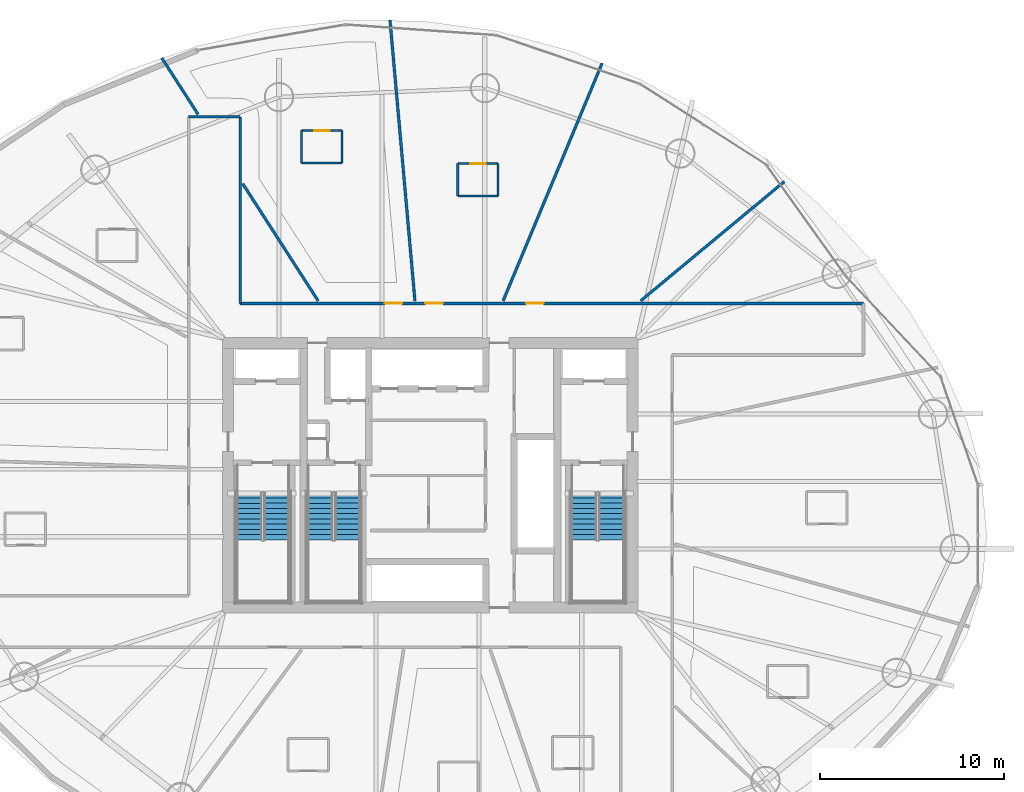
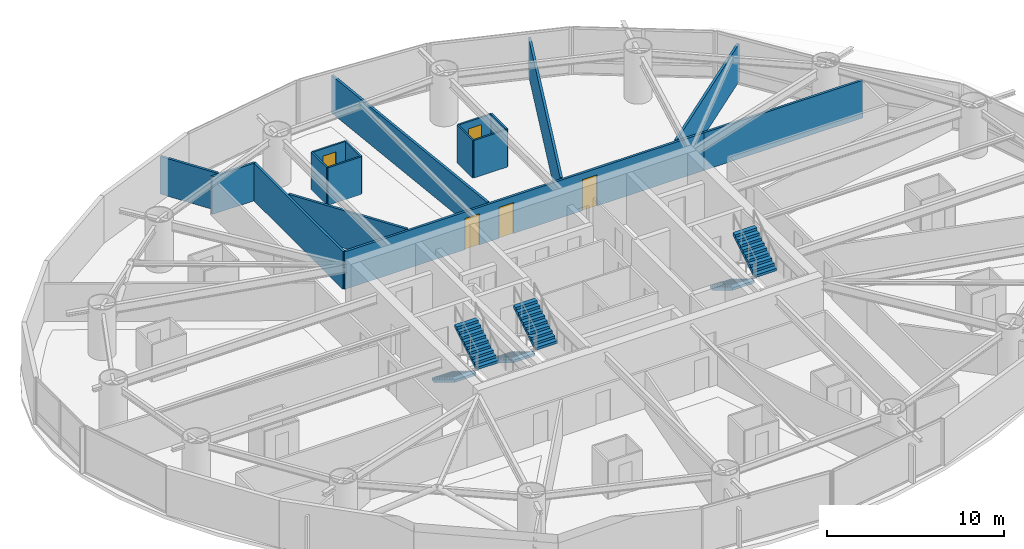
# One storey, part 23 of 27: 17 walls, 6 stair flights, 5 doors, 5 openings, 3 elements without a shape of their own.
"""IFC4 building model written with IfcOpenShell, lengths in metres."""

from ifc_helpers import new_model, si_unit, direction, frame, frame_2d, origin, place, context, subcontext, project, spatial, polyline, rectangle, outline, extrude, material, layer, layer_set, type_object, element, fill, aggregate, save


model = new_model("IFC4")

# Units and contexts
model_context = context("Model", 3, precision=1e-05, world=origin(), true_north=direction((0.0, 1.0)))
body_context = subcontext(model_context, "Body", "Model", "MODEL_VIEW")
ifc_project = project(units=[si_unit("LENGTHUNIT", "METRE"), si_unit("AREAUNIT", "SQUARE_METRE"), si_unit("VOLUMEUNIT", "CUBIC_METRE"), si_unit("PLANEANGLEUNIT", "RADIAN"), si_unit("MASSUNIT", "GRAM", prefix="KILO")], contexts=[model_context])

# Site, building, storey
site_placement = place(None, origin())
site = spatial("IfcSite", under=ifc_project, at=site_placement, CompositionType="ELEMENT")
building_placement = place(site_placement, origin())
building = spatial("IfcBuilding", under=site, at=building_placement, Name="Bramvorn Convention Spire", CompositionType="ELEMENT")
storey_placement = place(building_placement, frame((0.0, 0.0, 79.89990234375)))
storey = spatial("IfcBuildingStorey", under=building, at=storey_placement, Name="L18", CompositionType="ELEMENT", Elevation=79.89990234375)

# Wall
ifc_material_1 = material(Name="Lightweight En-Suite & Wet-Wall Partition", Category="gypsum")
ifc_layer_1 = layer(ifc_material_1, 0.110107421875)
ifc_layer_set_1 = layer_set([ifc_layer_1], Name="Lightweight En-Suite & Wet-Wall Partition - WL-PART-110")
wall_type_1 = type_object("IfcWallType", Name="WL-PART-110", PredefinedType="PARTITIONING", material=ifc_layer_set_1)
wall_1_placement = place(storey_placement, frame((39.48681640625, 41.197265625, 0.0), z_axis=(0.0, 0.0, 1.0), x_axis=(1.0, 0.0, 0.0)))
element("IfcWall", 1, at=wall_1_placement, inside=storey, type_object=wall_type_1, Name="Hotel Suite 1803 en-suite south wall", PredefinedType="PARTITIONING", context=body_context, shape_type="SweptSolid", body=[
    extrude(rectangle(XDim=2.2001953125, YDim=0.110107421875, at=frame_2d((1.10009765625, 0.0))), origin(), (0.0, 0.0, 1.0), 2.60009765625),
])

# Wall, opening, door
wall_2_placement = place(storey_placement, frame((39.48681640625, 42.957275390625, 0.0), z_axis=(0.0, 0.0, 1.0), x_axis=(1.0, 0.0, 0.0)))
wall_2 = element("IfcWall", 2, at=wall_2_placement, inside=storey, type_object=wall_type_1, Name="Hotel Suite 1803 en-suite north wall", PredefinedType="PARTITIONING", context=body_context, shape_type="SweptSolid", body=[
    extrude(rectangle(XDim=2.2001953125, YDim=0.110107421875, at=frame_2d((1.10009765625, 0.0))), origin(), (0.0, 0.0, 1.0), 2.60009765625),
])
opening_1_placement = place(wall_2_placement, frame((0.679931640625, 0.0, 0.0)))
opening_1 = element("IfcOpeningElement", 3, at=opening_1_placement, cuts=wall_2, Name="Opening DI-085", PredefinedType="OPENING", context=body_context, shape_type="SweptSolid", body=[
    extrude(rectangle(XDim=0.85009765625, YDim=2.10009765625, at=frame_2d((0.425048828125, 1.050048828125))), frame((0.0, 0.06494140625, 0.0), z_axis=(0.0, -1.0, 0.0), x_axis=(1.0, 0.0, 0.0)), (0.0, 0.0, 1.0), 0.130126953125),
])
ifc_material_2 = material(Name="En-Suite & Restroom Privacy Door", Category="wood")
door_type_1 = type_object("IfcDoorType", Name="DR-INT-850", OperationType="NOTDEFINED", PredefinedType="DOOR", material=ifc_material_2)
door_1_placement = place(opening_1_placement, origin())
door_1 = element("IfcDoor", 4, at=door_1_placement, inside=storey, type_object=door_type_1, Name="Hotel Suite 1803 En-Suite Bathroom door", OperationType="SINGLE_SWING_LEFT", OverallHeight=2.10009765625, OverallWidth=0.85009765625, PredefinedType="DOOR", context=body_context, shape_type="SweptSolid", body=[
    extrude(rectangle(XDim=0.85009765625, YDim=2.10009765625, at=frame_2d((0.425048828125, 1.050048828125))), frame((0.0, 0.02490234375, 0.0), z_axis=(0.0, -1.0, 0.0), x_axis=(1.0, 0.0, 0.0)), (0.0, 0.0, 1.0), 0.050048828125),
])
fill(opening_1, door_1)

# Walls
for number, where, z_axis, x_axis, name in (
    (5, (39.48681640625, 41.197265625, 0.0), (0.0, 0.0, 1.0), (0.0, 1.0, 0.0), "Hotel Suite 1803 en-suite west wall"),
    (6, (41.68701171875, 41.197265625, 0.0), (0.0, 0.0, 1.0), (0.0, 1.0, 0.0), "Hotel Suite 1803 en-suite east wall"),
):
    element("IfcWall", number, at=place(storey_placement, frame(where, z_axis=z_axis, x_axis=x_axis)), inside=storey, type_object=wall_type_1, Name=name, PredefinedType="PARTITIONING", context=body_context, shape_type="SweptSolid", body=[
        extrude(rectangle(XDim=1.760009765625, YDim=0.110107421875, at=frame_2d((0.8798828125, 0.0))), origin(), (0.0, 0.0, 1.0), 2.60009765625),
    ])
wall_3_placement = place(storey_placement, frame((30.98876953125, 42.99267578125, 0.0), z_axis=(0.0, 0.0, 1.0), x_axis=(1.0, 0.0, 0.0)))
element("IfcWall", 7, at=wall_3_placement, inside=storey, type_object=wall_type_1, Name="Hotel Suite 1804 en-suite south wall", PredefinedType="PARTITIONING", context=body_context, shape_type="SweptSolid", body=[
    extrude(rectangle(XDim=2.199951171875, YDim=0.110107421875, at=frame_2d((1.10009765625, 0.0))), origin(), (0.0, 0.0, 1.0), 2.60009765625),
])

# Wall, opening, door
wall_4_placement = place(storey_placement, frame((30.98876953125, 44.752685546875, 0.0), z_axis=(0.0, 0.0, 1.0), x_axis=(1.0, 0.0, 0.0)))
wall_4 = element("IfcWall", 8, at=wall_4_placement, inside=storey, type_object=wall_type_1, Name="Hotel Suite 1804 en-suite north wall", PredefinedType="PARTITIONING", context=body_context, shape_type="SweptSolid", body=[
    extrude(rectangle(XDim=2.199951171875, YDim=0.110107421875, at=frame_2d((1.10009765625, 0.0))), origin(), (0.0, 0.0, 1.0), 2.60009765625),
])
opening_2_placement = place(wall_4_placement, frame((0.679931640625, 0.0, 0.0)))
opening_2 = element("IfcOpeningElement", 9, at=opening_2_placement, cuts=wall_4, Name="Opening DI-085", PredefinedType="OPENING", context=body_context, shape_type="SweptSolid", body=[
    extrude(rectangle(XDim=0.85009765625, YDim=2.10009765625, at=frame_2d((0.425048828125, 1.050048828125))), frame((0.0, 0.06494140625, 0.0), z_axis=(0.0, -1.0, 0.0), x_axis=(1.0, 0.0, 0.0)), (0.0, 0.0, 1.0), 0.130126953125),
])
door_2_placement = place(opening_2_placement, origin())
door_2 = element("IfcDoor", 10, at=door_2_placement, inside=storey, type_object=door_type_1, Name="Hotel Suite 1804 En-Suite Bathroom door", OperationType="SINGLE_SWING_LEFT", OverallHeight=2.10009765625, OverallWidth=0.85009765625, PredefinedType="DOOR", context=body_context, shape_type="SweptSolid", body=[
    extrude(rectangle(XDim=0.85009765625, YDim=2.10009765625, at=frame_2d((0.425048828125, 1.050048828125))), frame((0.0, 0.02490234375, 0.0), z_axis=(0.0, -1.0, 0.0), x_axis=(1.0, 0.0, 0.0)), (0.0, 0.0, 1.0), 0.050048828125),
])
fill(opening_2, door_2)

# Walls
for number, where, z_axis, x_axis, name in (
    (11, (30.98876953125, 42.99267578125, 0.0), (0.0, 0.0, 1.0), (0.0, 1.0, 0.0), "Hotel Suite 1804 en-suite west wall"),
    (12, (33.188720703125, 42.99267578125, 0.0), (0.0, 0.0, 1.0), (0.0, 1.0, 0.0), "Hotel Suite 1804 en-suite east wall"),
):
    element("IfcWall", number, at=place(storey_placement, frame(where, z_axis=z_axis, x_axis=x_axis)), inside=storey, type_object=wall_type_1, Name=name, PredefinedType="PARTITIONING", context=body_context, shape_type="SweptSolid", body=[
        extrude(rectangle(XDim=1.760009765625, YDim=0.110107421875, at=frame_2d((0.8798828125, 0.0))), origin(), (0.0, 0.0, 1.0), 2.60009765625),
    ])

# Wall, openings, doors
ifc_material_3 = material(Name="Acoustic Metal-Stud Tenant/Corridor Partition", Category="gypsum")
ifc_layer_2 = layer(ifc_material_3, 0.14990234375)
ifc_layer_set_2 = layer_set([ifc_layer_2], Name="Acoustic Metal-Stud Tenant/Corridor Partition - WL-PART-150")
wall_type_2 = type_object("IfcWallType", Name="WL-PART-150", PredefinedType="PARTITIONING", material=ifc_layer_set_2)
wall_5_placement = place(storey_placement, frame((27.64990234375, 35.35009765625, 0.0), z_axis=(0.0, 0.0, 1.0), x_axis=(1.0, 0.0, 0.0)))
wall_5 = element("IfcWall", 13, at=wall_5_placement, inside=storey, type_object=wall_type_2, Name="L18 North ring corridor wall", PredefinedType="PARTITIONING", context=body_context, shape_type="SweptSolid", body=[
    extrude(rectangle(XDim=23.5, YDim=0.14990234375, at=frame_2d((11.75, 0.0))), origin(), (0.0, 0.0, 1.0), 2.60009765625),
])
opening_3_placement = place(wall_5_placement, frame((15.552978515625, 0.0, 0.0)))
opening_3 = element("IfcOpeningElement", 14, at=opening_3_placement, cuts=wall_5, Name="Opening DH-095", PredefinedType="OPENING", context=body_context, shape_type="SweptSolid", body=[
    extrude(rectangle(XDim=0.949951171875, YDim=2.14990234375, at=frame_2d((0.47509765625, 1.074951171875))), frame((0.0, 0.0849609375, 0.0), z_axis=(0.0, -1.0, 0.0), x_axis=(1.0, 0.0, 0.0)), (0.0, 0.0, 1.0), 0.169921875),
])
opening_4_placement = place(wall_5_placement, frame((10.081787109375, 0.0, 0.0)))
opening_4 = element("IfcOpeningElement", 15, at=opening_4_placement, cuts=wall_5, Name="Opening DH-095", PredefinedType="OPENING", context=body_context, shape_type="SweptSolid", body=[
    extrude(rectangle(XDim=0.949951171875, YDim=2.14990234375, at=frame_2d((0.47509765625, 1.074951171875))), frame((0.0, 0.0849609375, 0.0), z_axis=(0.0, -1.0, 0.0), x_axis=(1.0, 0.0, 0.0)), (0.0, 0.0, 1.0), 0.169921875),
])
opening_5_placement = place(wall_5_placement, frame((7.866455078125, 0.0, 0.0)))
opening_5 = element("IfcOpeningElement", 16, at=opening_5_placement, cuts=wall_5, Name="Opening DH-095", PredefinedType="OPENING", context=body_context, shape_type="SweptSolid", body=[
    extrude(rectangle(XDim=0.949951171875, YDim=2.14990234375, at=frame_2d((0.47509765625, 1.074951171875))), frame((0.0, 0.0849609375, 0.0), z_axis=(0.0, -1.0, 0.0), x_axis=(1.0, 0.0, 0.0)), (0.0, 0.0, 1.0), 0.169921875),
])
ifc_material_4 = material(Name="Solid-Core Acoustic Guestroom Entry Door", Category="wood")
door_type_2 = type_object("IfcDoorType", Name="DR-HOTEL-950", OperationType="NOTDEFINED", PredefinedType="DOOR", material=ifc_material_4)
door_3_placement = place(opening_3_placement, origin())
door_3 = element("IfcDoor", 17, at=door_3_placement, inside=storey, type_object=door_type_2, Name="L18 Hospitality Lounge 1 door", OperationType="SINGLE_SWING_LEFT", OverallHeight=2.14990234375, OverallWidth=0.949951171875, PredefinedType="DOOR", context=body_context, shape_type="SweptSolid", body=[
    extrude(rectangle(XDim=0.949951171875, YDim=2.14990234375, at=frame_2d((0.47509765625, 1.074951171875))), frame((0.0, 0.02490234375, 0.0), z_axis=(0.0, -1.0, 0.0), x_axis=(1.0, 0.0, 0.0)), (0.0, 0.0, 1.0), 0.050048828125),
])
fill(opening_3, door_3)
door_4_placement = place(opening_4_placement, origin())
door_4 = element("IfcDoor", 18, at=door_4_placement, inside=storey, type_object=door_type_2, Name="Hotel Suite 1803 entry door", OperationType="SINGLE_SWING_RIGHT", OverallHeight=2.14990234375, OverallWidth=0.949951171875, PredefinedType="DOOR", context=body_context, shape_type="SweptSolid", body=[
    extrude(rectangle(XDim=0.949951171875, YDim=2.14990234375, at=frame_2d((0.47509765625, 1.074951171875))), frame((0.0, 0.02490234375, 0.0), z_axis=(0.0, -1.0, 0.0), x_axis=(1.0, 0.0, 0.0)), (0.0, 0.0, 1.0), 0.050048828125),
])
fill(opening_4, door_4)
door_5_placement = place(opening_5_placement, origin())
door_5 = element("IfcDoor", 19, at=door_5_placement, inside=storey, type_object=door_type_2, Name="Hotel Suite 1804 entry door", OperationType="SINGLE_SWING_RIGHT", OverallHeight=2.14990234375, OverallWidth=0.949951171875, PredefinedType="DOOR", context=body_context, shape_type="SweptSolid", body=[
    extrude(rectangle(XDim=0.949951171875, YDim=2.14990234375, at=frame_2d((0.47509765625, 1.074951171875))), frame((0.0, 0.02490234375, 0.0), z_axis=(0.0, -1.0, 0.0), x_axis=(1.0, 0.0, 0.0)), (0.0, 0.0, 1.0), 0.050048828125),
])
fill(opening_5, door_5)

# Walls
wall_6_placement = place(storey_placement, frame((51.14990234375, 35.35009765625, 0.0), z_axis=(0.0, 0.0, 1.0), x_axis=(1.0, 0.0, 0.0)))
element("IfcWall", 20, at=wall_6_placement, inside=storey, type_object=wall_type_2, Name="L18 NE pinwheel wing north wall", PredefinedType="PARTITIONING", context=body_context, shape_type="SweptSolid", body=[
    extrude(rectangle(XDim=10.4052734375, YDim=0.14990234375, at=frame_2d((5.20263671875, 0.0))), origin(), (0.0, 0.0, 1.0), 2.60009765625),
])
wall_7_placement = place(storey_placement, frame((27.64990234375, 35.35009765625, 0.0), z_axis=(0.0, 0.0, 1.0), x_axis=(0.0, 1.0, 0.0)))
element("IfcWall", 21, at=wall_7_placement, inside=storey, type_object=wall_type_2, Name="L18 NW pinwheel wing east wall", PredefinedType="PARTITIONING", context=body_context, shape_type="SweptSolid", body=[
    extrude(rectangle(XDim=10.14990234375, YDim=0.14990234375, at=frame_2d((5.074951171875, 0.0))), origin(), (0.0, 0.0, 1.0), 2.60009765625),
])
wall_8_placement = place(storey_placement, frame((24.85009765625, 45.5, 0.0), z_axis=(0.0, 0.0, 1.0), x_axis=(1.0, 0.0, 0.0)))
element("IfcWall", 22, at=wall_8_placement, inside=storey, type_object=wall_type_2, Name="L18 NW pinwheel end wall", PredefinedType="PARTITIONING", context=body_context, shape_type="SweptSolid", body=[
    extrude(rectangle(XDim=2.7998046875, YDim=0.14990234375, at=frame_2d((1.39990234375, 0.0))), origin(), (0.0, 0.0, 1.0), 2.60009765625),
])
wall_9_placement = place(storey_placement, frame((49.433837890625, 35.489990234375, 0.0), z_axis=(0.0, 0.0, 1.0), x_axis=(0.769488794151, 0.638660313216, 0.0)))
element("IfcWall", 23, at=wall_9_placement, inside=storey, type_object=wall_type_2, Name="L18 Guestroom demising wall 2", PredefinedType="PARTITIONING", context=body_context, shape_type="SweptSolid", body=[
    extrude(rectangle(XDim=10.1552734375, YDim=0.14990234375, at=frame_2d((5.07763671875, 0.0))), origin(), (0.0, 0.0, 1.0), 2.60009765625),
])
wall_10_placement = place(storey_placement, frame((41.953369140625, 35.489990234375, 0.0), z_axis=(0.0, 0.0, 1.0), x_axis=(0.384538657387, 0.923108889013, 0.0)))
element("IfcWall", 24, at=wall_10_placement, inside=storey, type_object=wall_type_2, Name="L18 Guestroom demising wall 3", PredefinedType="PARTITIONING", context=body_context, shape_type="SweptSolid", body=[
    extrude(rectangle(XDim=14.00830078125, YDim=0.14990234375, at=frame_2d((7.004150390625, 0.0))), origin(), (0.0, 0.0, 1.0), 2.60009765625),
])
wall_11_placement = place(storey_placement, frame((37.156982421875, 35.489990234375, 0.0), z_axis=(0.0, 0.0, 1.0), x_axis=(-0.088499768289, 0.996076197393, 0.0)))
element("IfcWall", 25, at=wall_11_placement, inside=storey, type_object=wall_type_2, Name="L18 Guestroom demising wall 4", PredefinedType="PARTITIONING", context=body_context, shape_type="SweptSolid", body=[
    extrude(rectangle(XDim=15.33251953125, YDim=0.14990234375, at=frame_2d((7.666259765625, 0.0))), origin(), (0.0, 0.0, 1.0), 2.60009765625),
])
wall_12_placement = place(storey_placement, frame((31.891357421875, 35.489990234375, 0.0), z_axis=(0.0, 0.0, 1.0), x_axis=(-0.541252535473, 0.840860091123, 0.0)))
element("IfcWall", 26, at=wall_12_placement, inside=storey, type_object=wall_type_2, Name="L18 Guestroom demising wall 5", PredefinedType="PARTITIONING", context=body_context, shape_type="SweptSolid", body=[
    extrude(rectangle(XDim=7.577392578125, YDim=0.14990234375, at=frame_2d((3.78857421875, 0.0))), origin(), (0.0, 0.0, 1.0), 2.60009765625),
])
wall_13_placement = place(storey_placement, frame((25.35791015625, 45.639892578125, 0.0), z_axis=(0.0, 0.0, 1.0), x_axis=(-0.541288402423, 0.840837002874, 0.0)))
element("IfcWall", 27, at=wall_13_placement, inside=storey, type_object=wall_type_2, Name="L18 Guestroom demising wall 5", PredefinedType="PARTITIONING", context=body_context, shape_type="SweptSolid", body=[
    extrude(rectangle(XDim=3.64892578125, YDim=0.14990234375, at=frame_2d((1.824462890625, 0.0))), origin(), (0.0, 0.0, 1.0), 2.60009765625),
])

# Stair, stair flights
ifc_material_5 = material(Name="Concrete C40/50 Precast Stair", Category="concrete")
stair_type = type_object("IfcStairType", Name="ST-TOWER-1550", PredefinedType="HALF_TURN_STAIR", material=ifc_material_5)
stair_1_placement = place(storey_placement, origin())
stair_1 = element("IfcStair", 28, at=stair_1_placement, inside=storey, type_object=stair_type, Name="L18 Protected Exit Stair ST1", PredefinedType="HALF_TURN_STAIR")
ifc_material_6 = material(Name="Concrete C40/50 Precast Stair Flight", Category="concrete")
stair_flight_type = type_object("IfcStairFlightType", Name="STF-TOWER-1550", PredefinedType="STRAIGHT", material=ifc_material_6)
stair_flight_1_placement = place(storey_placement, frame((28.155029296875, 25.050048828125, 0.0), z_axis=(0.0, 0.0, 1.0), x_axis=(0.0, -1.0, 0.0)))
stair_flight_1 = element("IfcStairFlight", 29, at=stair_flight_1_placement, type_object=stair_flight_type, Name="ST1 flight 1", NumberOfRisers=10, NumberOfTreads=9, PredefinedType="STRAIGHT", RiserHeight=0.175, TreadLength=0.285, context=body_context, shape_type="SweptSolid", body=[
    extrude(outline(polyline([(0.0, 0.0), (0.0, 0.175048828125), (0.284912109375, 0.175048828125), (0.284912109375, 0.35009765625), (0.570068359375, 0.35009765625), (0.570068359375, 0.52490234375), (0.85498046875, 0.52490234375), (0.85498046875, 0.699951171875), (1.139892578125, 0.699951171875), (1.139892578125, 0.875), (1.425048828125, 0.875), (1.425048828125, 1.050048828125), (1.7099609375, 1.050048828125), (1.7099609375, 1.22509765625), (1.9951171875, 1.22509765625), (1.9951171875, 1.39990234375), (2.280029296875, 1.39990234375), (2.280029296875, 1.574951171875), (2.56494140625, 1.574951171875), (2.56494140625, 1.75), (2.56494140625, 1.399169921875), (0.286376953125, 0.0), (0.0, 0.0)])), frame((0.0, 0.705078125, 0.0), z_axis=(0.0, -1.0, 0.0), x_axis=(1.0, 0.0, 0.0)), (0.0, 0.0, 1.0), 1.409912109375),
])
stair_flight_2_placement = place(storey_placement, frame((29.64501953125, 22.485107421875, 1.75), z_axis=(0.0, 0.0, 1.0), x_axis=(0.0, 1.0, 0.0)))
stair_flight_2 = element("IfcStairFlight", 30, at=stair_flight_2_placement, type_object=stair_flight_type, Name="ST1 flight 2", NumberOfRisers=10, NumberOfTreads=9, PredefinedType="STRAIGHT", RiserHeight=0.175, TreadLength=0.285, context=body_context, shape_type="SweptSolid", body=[
    extrude(outline(polyline([(0.0, 0.0), (0.0, 0.175048828125), (0.284912109375, 0.175048828125), (0.284912109375, 0.35009765625), (0.570068359375, 0.35009765625), (0.570068359375, 0.52490234375), (0.85498046875, 0.52490234375), (0.85498046875, 0.699951171875), (1.139892578125, 0.699951171875), (1.139892578125, 0.875), (1.425048828125, 0.875), (1.425048828125, 1.050048828125), (1.7099609375, 1.050048828125), (1.7099609375, 1.22509765625), (1.9951171875, 1.22509765625), (1.9951171875, 1.39990234375), (2.280029296875, 1.39990234375), (2.280029296875, 1.574951171875), (2.56494140625, 1.574951171875), (2.56494140625, 1.75), (2.56494140625, 1.399169921875), (0.286376953125, 0.0), (0.0, 0.0)])), frame((0.0, 0.705078125, 0.0), z_axis=(0.0, -1.0, 0.0), x_axis=(1.0, 0.0, 0.0)), (0.0, 0.0, 1.0), 1.409912109375),
])
aggregate(stair_1, [stair_flight_1, stair_flight_2])

stair_2_placement = place(storey_placement, origin())
stair_2 = element("IfcStair", 31, at=stair_2_placement, inside=storey, type_object=stair_type, Name="L18 Protected Exit Stair ST2", PredefinedType="HALF_TURN_STAIR")
stair_flight_3_placement = place(storey_placement, frame((46.35498046875, 25.050048828125, 0.0), z_axis=(0.0, 0.0, 1.0), x_axis=(0.0, -1.0, 0.0)))
stair_flight_3 = element("IfcStairFlight", 32, at=stair_flight_3_placement, type_object=stair_flight_type, Name="ST2 flight 1", NumberOfRisers=10, NumberOfTreads=9, PredefinedType="STRAIGHT", RiserHeight=0.175, TreadLength=0.285, context=body_context, shape_type="SweptSolid", body=[
    extrude(outline(polyline([(0.0, 0.0), (0.0, 0.175048828125), (0.284912109375, 0.175048828125), (0.284912109375, 0.35009765625), (0.570068359375, 0.35009765625), (0.570068359375, 0.52490234375), (0.85498046875, 0.52490234375), (0.85498046875, 0.699951171875), (1.139892578125, 0.699951171875), (1.139892578125, 0.875), (1.425048828125, 0.875), (1.425048828125, 1.050048828125), (1.7099609375, 1.050048828125), (1.7099609375, 1.22509765625), (1.9951171875, 1.22509765625), (1.9951171875, 1.39990234375), (2.280029296875, 1.39990234375), (2.280029296875, 1.574951171875), (2.56494140625, 1.574951171875), (2.56494140625, 1.75), (2.56494140625, 1.399169921875), (0.286376953125, 0.0), (0.0, 0.0)])), frame((0.0, 0.705078125, 0.0), z_axis=(0.0, -1.0, 0.0), x_axis=(1.0, 0.0, 0.0)), (0.0, 0.0, 1.0), 1.409912109375),
])
stair_flight_4_placement = place(storey_placement, frame((47.844970703125, 22.485107421875, 1.75), z_axis=(0.0, 0.0, 1.0), x_axis=(0.0, 1.0, 0.0)))
stair_flight_4 = element("IfcStairFlight", 33, at=stair_flight_4_placement, type_object=stair_flight_type, Name="ST2 flight 2", NumberOfRisers=10, NumberOfTreads=9, PredefinedType="STRAIGHT", RiserHeight=0.175, TreadLength=0.285, context=body_context, shape_type="SweptSolid", body=[
    extrude(outline(polyline([(0.0, 0.0), (0.0, 0.175048828125), (0.284912109375, 0.175048828125), (0.284912109375, 0.35009765625), (0.570068359375, 0.35009765625), (0.570068359375, 0.52490234375), (0.85498046875, 0.52490234375), (0.85498046875, 0.699951171875), (1.139892578125, 0.699951171875), (1.139892578125, 0.875), (1.425048828125, 0.875), (1.425048828125, 1.050048828125), (1.7099609375, 1.050048828125), (1.7099609375, 1.22509765625), (1.9951171875, 1.22509765625), (1.9951171875, 1.39990234375), (2.280029296875, 1.39990234375), (2.280029296875, 1.574951171875), (2.56494140625, 1.574951171875), (2.56494140625, 1.75), (2.56494140625, 1.399169921875), (0.286376953125, 0.0), (0.0, 0.0)])), frame((0.0, 0.705078125, 0.0), z_axis=(0.0, -1.0, 0.0), x_axis=(1.0, 0.0, 0.0)), (0.0, 0.0, 1.0), 1.409912109375),
])
aggregate(stair_2, [stair_flight_3, stair_flight_4])

stair_3_placement = place(storey_placement, origin())
stair_3 = element("IfcStair", 34, at=stair_3_placement, inside=storey, type_object=stair_type, Name="L18 Protected Exit Stair ST3", PredefinedType="HALF_TURN_STAIR")
stair_flight_5_placement = place(storey_placement, frame((32.0048828125, 25.050048828125, 0.0), z_axis=(0.0, 0.0, 1.0), x_axis=(0.0, -1.0, 0.0)))
stair_flight_5 = element("IfcStairFlight", 35, at=stair_flight_5_placement, type_object=stair_flight_type, Name="ST3 flight 1", NumberOfRisers=10, NumberOfTreads=9, PredefinedType="STRAIGHT", RiserHeight=0.175, TreadLength=0.285, context=body_context, shape_type="SweptSolid", body=[
    extrude(outline(polyline([(0.0, 0.0), (0.0, 0.175048828125), (0.284912109375, 0.175048828125), (0.284912109375, 0.35009765625), (0.570068359375, 0.35009765625), (0.570068359375, 0.52490234375), (0.85498046875, 0.52490234375), (0.85498046875, 0.699951171875), (1.139892578125, 0.699951171875), (1.139892578125, 0.875), (1.425048828125, 0.875), (1.425048828125, 1.050048828125), (1.7099609375, 1.050048828125), (1.7099609375, 1.22509765625), (1.9951171875, 1.22509765625), (1.9951171875, 1.39990234375), (2.280029296875, 1.39990234375), (2.280029296875, 1.574951171875), (2.56494140625, 1.574951171875), (2.56494140625, 1.75), (2.56494140625, 1.399169921875), (0.286376953125, 0.0), (0.0, 0.0)])), frame((0.0, 0.705078125, 0.0), z_axis=(0.0, -1.0, 0.0), x_axis=(1.0, 0.0, 0.0)), (0.0, 0.0, 1.0), 1.409912109375),
])
stair_flight_6_placement = place(storey_placement, frame((33.4951171875, 22.485107421875, 1.75), z_axis=(0.0, 0.0, 1.0), x_axis=(0.0, 1.0, 0.0)))
stair_flight_6 = element("IfcStairFlight", 36, at=stair_flight_6_placement, type_object=stair_flight_type, Name="ST3 flight 2", NumberOfRisers=10, NumberOfTreads=9, PredefinedType="STRAIGHT", RiserHeight=0.175, TreadLength=0.285, context=body_context, shape_type="SweptSolid", body=[
    extrude(outline(polyline([(0.0, 0.0), (0.0, 0.175048828125), (0.284912109375, 0.175048828125), (0.284912109375, 0.35009765625), (0.570068359375, 0.35009765625), (0.570068359375, 0.52490234375), (0.85498046875, 0.52490234375), (0.85498046875, 0.699951171875), (1.139892578125, 0.699951171875), (1.139892578125, 0.875), (1.425048828125, 0.875), (1.425048828125, 1.050048828125), (1.7099609375, 1.050048828125), (1.7099609375, 1.22509765625), (1.9951171875, 1.22509765625), (1.9951171875, 1.39990234375), (2.280029296875, 1.39990234375), (2.280029296875, 1.574951171875), (2.56494140625, 1.574951171875), (2.56494140625, 1.75), (2.56494140625, 1.399169921875), (0.286376953125, 0.0), (0.0, 0.0)])), frame((0.0, 0.705078125, 0.0), z_axis=(0.0, -1.0, 0.0), x_axis=(1.0, 0.0, 0.0)), (0.0, 0.0, 1.0), 1.409912109375),
])
aggregate(stair_3, [stair_flight_5, stair_flight_6])

save(model, "model.ifc")
